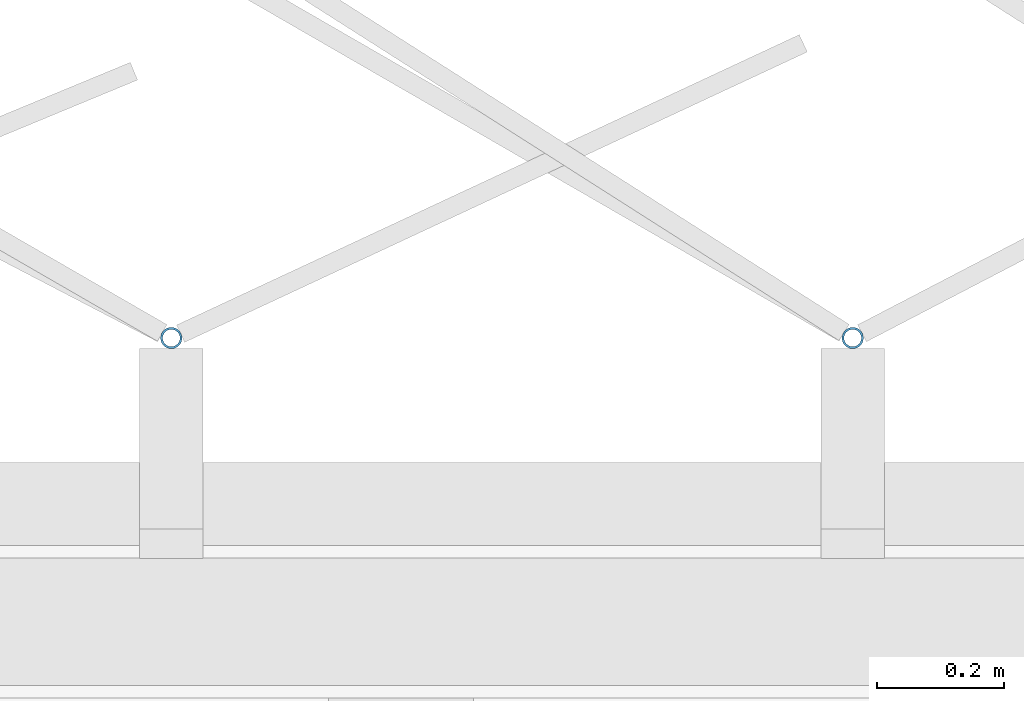
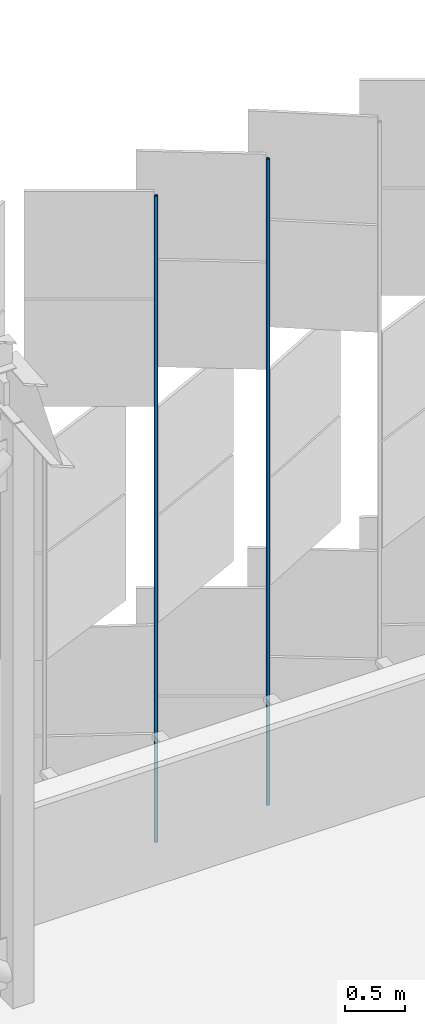
# One storey, part 354 of 483: 2 discrete accessories.
"""IFC4 building model written with IfcOpenShell, lengths in metres."""

from ifc_helpers import new_model, si_unit, direction, frame, origin, origin_2d, place, context, subcontext, project, spatial, hollow_circle, extrude, material, material_profile, profile_set, type_object, element, save


model = new_model("IFC4")

# Units and contexts
model_context = context("Model", 3, precision=1e-05, world=origin(), true_north=direction((0.0, 1.0)))
body_context = subcontext(model_context, "Body", "Model", "MODEL_VIEW")
ifc_project = project(units=[si_unit("LENGTHUNIT", "METRE"), si_unit("AREAUNIT", "SQUARE_METRE"), si_unit("VOLUMEUNIT", "CUBIC_METRE"), si_unit("PLANEANGLEUNIT", "RADIAN"), si_unit("MASSUNIT", "GRAM", prefix="KILO")], contexts=[model_context])

# Site, building, storey
site_placement = place(None, origin())
site = spatial("IfcSite", under=ifc_project, at=site_placement, CompositionType="ELEMENT")
building_placement = place(site_placement, origin())
building = spatial("IfcBuilding", under=site, at=building_placement, Name="Parallax Yard Mobility Hub", CompositionType="ELEMENT")
storey_placement = place(building_placement, frame((0.0, 0.0, 13.199951171875)))
storey = spatial("IfcBuildingStorey", under=building, at=storey_placement, Name="L04", CompositionType="ELEMENT", Elevation=13.199951171875)

# Discrete accessories
ifc_material = material(Name="Steel ASTM A500 Gr C, hot-dip galvanised", Category="steel")
ifc_material_profile = material_profile(ifc_material, hollow_circle(Radius=0.016845703125, WallThickness=0.003173828125, at=origin_2d()), Name="CHS 33.7x3.2")
ifc_profile_set = profile_set([ifc_material_profile], Name="Steel ASTM A500 Gr C, hot-dip galvanised")
discrete_accessory_type = type_object("IfcDiscreteAccessoryType", Name="Hinge post CHS 33.7x3.2", PredefinedType="BRACKET", material=ifc_profile_set)
for number, where, z_axis, x_axis, name in (
    (1, (123.210205078125, 142.800048828125, 0.0), (0.0, 0.0, 1.0), (1.0, 0.0, 0.0), "Hinge post bay 57.5 level L04"),
    (2, (122.138916015625, 142.800048828125, 0.0), (0.0, 0.0, 1.0), (1.0, 0.0, 0.0), "Hinge post bay 57.6 level L04"),
):
    element("IfcDiscreteAccessory", number, at=place(storey_placement, frame(where, z_axis=z_axis, x_axis=x_axis)), inside=storey, type_object=discrete_accessory_type, Name=name, PredefinedType="BRACKET", context=body_context, shape_type="SweptSolid", body=[
        extrude(hollow_circle(Radius=0.016845703125, WallThickness=0.003173828125, at=origin_2d()), origin(), (0.0, 0.0, 1.0), 6.550048828125),
    ])

save(model, "model.ifc")
